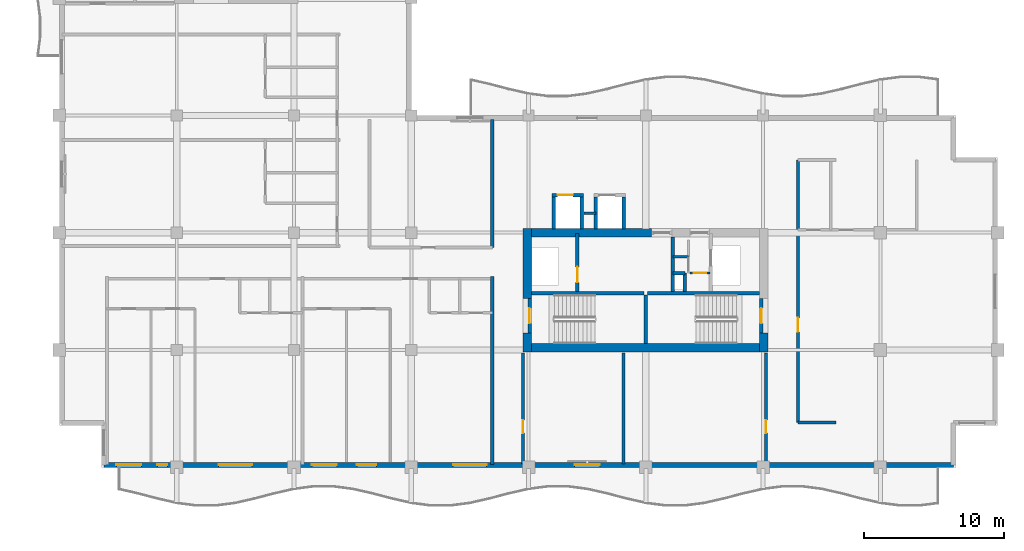
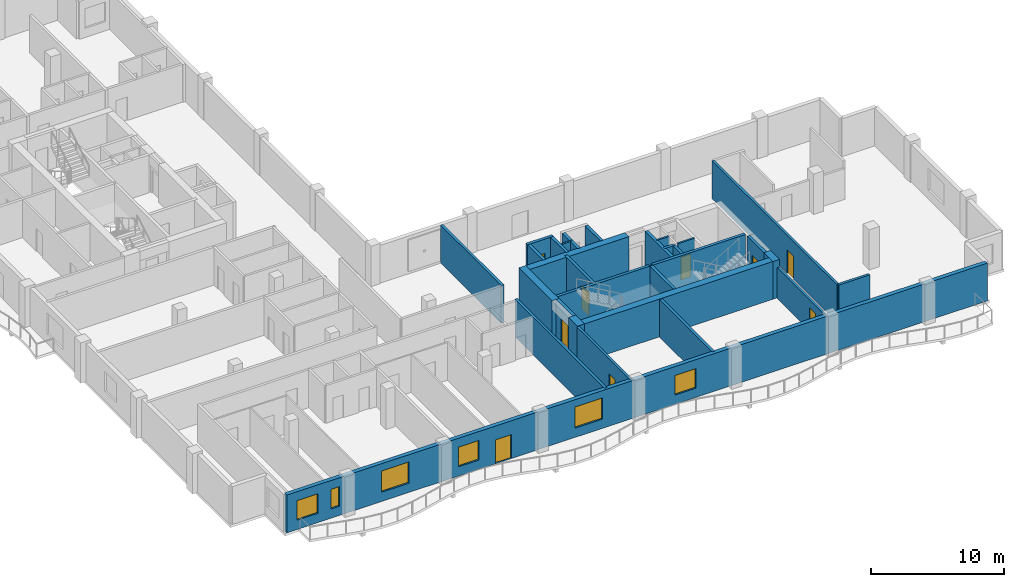
# One storey, part 4 of 12: 30 walls, 9 doors, 6 windows, 15 openings.
"""IFC4 building model written with IfcOpenShell, lengths in metres."""

from ifc_helpers import new_model, si_unit, direction, frame, frame_2d, origin, place, context, subcontext, project, spatial, rectangle, extrude, material, layer, layer_set, type_object, element, fill, save


model = new_model("IFC4")

# Units and contexts
model_context = context("Model", 3, precision=1e-05, world=origin(), true_north=direction((0.0, 1.0)))
body_context = subcontext(model_context, "Body", "Model", "MODEL_VIEW")
ifc_project = project(units=[si_unit("LENGTHUNIT", "METRE"), si_unit("AREAUNIT", "SQUARE_METRE"), si_unit("VOLUMEUNIT", "CUBIC_METRE"), si_unit("PLANEANGLEUNIT", "RADIAN"), si_unit("MASSUNIT", "GRAM", prefix="KILO")], contexts=[model_context])

# Site, building, storey
site_placement = place(None, origin())
site = spatial("IfcSite", under=ifc_project, at=site_placement, CompositionType="ELEMENT")
building_placement = place(site_placement, origin())
building = spatial("IfcBuilding", under=site, at=building_placement, Name="Koriwani Terraces Tower", CompositionType="ELEMENT")
storey_placement = place(building_placement, frame((0.0, 0.0, 263.800048828125)))
storey = spatial("IfcBuildingStorey", under=building, at=storey_placement, Name="L65", CompositionType="ELEMENT", Elevation=263.800048828125)

# Walls
ifc_material_1 = material(Name="Concrete C60/75", Category="concrete")
ifc_layer_1 = layer(ifc_material_1, 0.60009765625, Name="Concrete C60/75")
ifc_layer_set_1 = layer_set([ifc_layer_1], Name="Concrete C60/75")
wall_type_1 = type_object("IfcWallType", Name="WALL_CORE_RC_600", PredefinedType="SHEAR", material=ifc_layer_set_1)
wall_1_placement = place(storey_placement, frame((41.89990234375, 16.64990234375, 0.0), z_axis=(0.0, 0.0, 1.0), x_axis=(0.0, 1.0, 0.0)))
element("IfcWall", 1, at=wall_1_placement, inside=storey, type_object=wall_type_1, Name="L65 East Split Core Shear Wall W1", PredefinedType="SHEAR", context=body_context, shape_type="SweptSolid", body=[
    extrude(rectangle(XDim=1.35009765625, YDim=0.60009765625, at=frame_2d((0.675048828125, 0.0))), origin(), (0.0, 0.0, 1.0), 3.469970703125),
])
wall_2_placement = place(storey_placement, frame((41.89990234375, 20.5, 0.0), z_axis=(0.0, 0.0, 1.0), x_axis=(0.0, 1.0, 0.0)))
element("IfcWall", 2, at=wall_2_placement, inside=storey, type_object=wall_type_1, Name="L65 East Split Core Shear Wall W2", PredefinedType="SHEAR", context=body_context, shape_type="SweptSolid", body=[
    extrude(rectangle(XDim=5.0, YDim=0.60009765625, at=frame_2d((2.5, 0.0))), origin(), (0.0, 0.0, 1.0), 3.469970703125),
])
wall_3_placement = place(storey_placement, frame((58.85009765625, 16.64990234375, 0.0), z_axis=(0.0, 0.0, 1.0), x_axis=(0.0, 1.0, 0.0)))
element("IfcWall", 3, at=wall_3_placement, inside=storey, type_object=wall_type_1, Name="L65 East Split Core Shear Wall E1", PredefinedType="SHEAR", context=body_context, shape_type="SweptSolid", body=[
    extrude(rectangle(XDim=1.35009765625, YDim=0.60009765625, at=frame_2d((0.675048828125, 0.0))), origin(), (0.0, 0.0, 1.0), 3.469970703125),
])
wall_4_placement = place(storey_placement, frame((42.199951171875, 16.949951171875, 0.0), z_axis=(0.0, 0.0, 1.0), x_axis=(1.0, 0.0, 0.0)))
element("IfcWall", 4, at=wall_4_placement, inside=storey, type_object=wall_type_1, Name="L65 East Split Core Shear Wall S1", PredefinedType="SHEAR", context=body_context, shape_type="SweptSolid", body=[
    extrude(rectangle(XDim=16.35009765625, YDim=0.60009765625, at=frame_2d((8.175048828125, 0.0))), origin(), (0.0, 0.0, 1.0), 3.469970703125),
])
wall_5_placement = place(storey_placement, frame((42.199951171875, 25.199951171875, 0.0), z_axis=(0.0, 0.0, 1.0), x_axis=(1.0, 0.0, 0.0)))
element("IfcWall", 5, at=wall_5_placement, inside=storey, type_object=wall_type_1, Name="L65 East Split Core Shear Wall N1", PredefinedType="SHEAR", context=body_context, shape_type="SweptSolid", body=[
    extrude(rectangle(XDim=8.60009765625, YDim=0.60009765625, at=frame_2d((4.300048828125, 0.0))), origin(), (0.0, 0.0, 1.0), 3.469970703125),
])

# Wall, opening, door
ifc_material_2 = material(Name="Autoclaved Cellular Concrete Blockwork", Category="masonry")
ifc_layer_2 = layer(ifc_material_2, 0.199951171875, Name="Autoclaved Cellular Concrete Blockwork")
ifc_layer_set_2 = layer_set([ifc_layer_2], Name="Autoclaved Cellular Concrete Blockwork")
wall_type_2 = type_object("IfcWallType", Name="WALL_CORRIDOR_200", PredefinedType="PARTITIONING", material=ifc_layer_set_2)
wall_6_placement = place(storey_placement, frame((41.60009765625, 8.64990234375, 0.0), z_axis=(0.0, 0.0, 1.0), x_axis=(0.0, 1.0, 0.0)))
wall_6 = element("IfcWall", 6, at=wall_6_placement, inside=storey, type_object=wall_type_2, Name="L65 Interior Wall WRZ4-EW-L65", PredefinedType="PARTITIONING", context=body_context, shape_type="SweptSolid", body=[
    extrude(rectangle(XDim=7.9501953125, YDim=0.199951171875, at=frame_2d((3.97509765625, 0.0))), origin(), (0.0, 0.0, 1.0), 3.469970703125),
])
opening_1_placement = place(wall_6_placement, frame((2.199951171875, 0.0, 0.0)))
opening_1 = element("IfcOpeningElement", 7, at=opening_1_placement, cuts=wall_6, Name="Opening D-06", PredefinedType="OPENING", context=body_context, shape_type="SweptSolid", body=[
    extrude(rectangle(XDim=0.919921875, YDim=2.10009765625, at=frame_2d((0.4599609375, 1.050048828125))), frame((0.0, 0.10986328125, 0.0), z_axis=(0.0, -1.0, 0.0), x_axis=(1.0, 0.0, 0.0)), (0.0, 0.0, 1.0), 0.219970703125),
])
ifc_material_3 = material(Name="Architectural Oak Fire Door", Category="wood")
door_type_1 = type_object("IfcDoorType", Name="DOOR_ROOM_INT_920X2100", OperationType="NOTDEFINED", PredefinedType="DOOR", material=ifc_material_3)
door_1_placement = place(opening_1_placement, origin())
door_1 = element("IfcDoor", 8, at=door_1_placement, inside=storey, type_object=door_type_1, Name="L65 Resident Library Study Door", OperationType="SINGLE_SWING_RIGHT", OverallHeight=2.10009765625, OverallWidth=0.919921875, PredefinedType="DOOR", context=body_context, shape_type="SweptSolid", body=[
    extrude(rectangle(XDim=0.919921875, YDim=2.10009765625, at=frame_2d((0.4599609375, 1.050048828125))), frame((0.0, 0.02490234375, 0.0), z_axis=(0.0, -1.0, 0.0), x_axis=(1.0, 0.0, 0.0)), (0.0, 0.0, 1.0), 0.050048828125),
])
fill(opening_1, door_1)

wall_7_placement = place(storey_placement, frame((59.0, 8.64990234375, 0.0), z_axis=(0.0, 0.0, 1.0), x_axis=(0.0, 1.0, 0.0)))
wall_7 = element("IfcWall", 9, at=wall_7_placement, inside=storey, type_object=wall_type_2, Name="L65 Interior Wall WRZ4-EE-L65", PredefinedType="PARTITIONING", context=body_context, shape_type="SweptSolid", body=[
    extrude(rectangle(XDim=7.9501953125, YDim=0.199951171875, at=frame_2d((3.97509765625, 0.0))), origin(), (0.0, 0.0, 1.0), 2.820068359375),
])
opening_2_placement = place(wall_7_placement, frame((2.199951171875, 0.0, 0.0)))
opening_2 = element("IfcOpeningElement", 10, at=opening_2_placement, cuts=wall_7, Name="Opening D-06", PredefinedType="OPENING", context=body_context, shape_type="SweptSolid", body=[
    extrude(rectangle(XDim=0.919921875, YDim=2.10009765625, at=frame_2d((0.4599609375, 1.050048828125))), frame((0.0, 0.10986328125, 0.0), z_axis=(0.0, -1.0, 0.0), x_axis=(1.0, 0.0, 0.0)), (0.0, 0.0, 1.0), 0.219970703125),
])
door_2_placement = place(opening_2_placement, origin())
door_2 = element("IfcDoor", 11, at=door_2_placement, inside=storey, type_object=door_type_1, Name="L65 Resident Laundry Room Door", OperationType="SINGLE_SWING_LEFT", OverallHeight=2.10009765625, OverallWidth=0.919921875, PredefinedType="DOOR", context=body_context, shape_type="SweptSolid", body=[
    extrude(rectangle(XDim=0.919921875, YDim=2.10009765625, at=frame_2d((0.4599609375, 1.050048828125))), frame((0.0, 0.02490234375, 0.0), z_axis=(0.0, -1.0, 0.0), x_axis=(1.0, 0.0, 0.0)), (0.0, 0.0, 1.0), 0.050048828125),
])
fill(opening_2, door_2)

wall_8_placement = place(storey_placement, frame((61.300048828125, 11.60009765625, 0.0), z_axis=(0.0, 0.0, 1.0), x_axis=(0.0, 1.0, 0.0)))
wall_8 = element("IfcWall", 12, at=wall_8_placement, inside=storey, type_object=wall_type_2, Name="L65 Interior Wall WET-W-L65", PredefinedType="PARTITIONING", context=body_context, shape_type="SweptSolid", body=[
    extrude(rectangle(XDim=18.7998046875, YDim=0.199951171875, at=frame_2d((9.39990234375, 0.0))), origin(), (0.0, 0.0, 1.0), 3.469970703125),
])
opening_3_placement = place(wall_8_placement, frame((6.5, 0.0, 0.0)))
opening_3 = element("IfcOpeningElement", 13, at=opening_3_placement, cuts=wall_8, Name="Opening D-05", PredefinedType="OPENING", context=body_context, shape_type="SweptSolid", body=[
    extrude(rectangle(XDim=1.0, YDim=2.14990234375, at=frame_2d((0.5, 1.074951171875))), frame((0.0, 0.10986328125, 0.0), z_axis=(0.0, -1.0, 0.0), x_axis=(1.0, 0.0, 0.0)), (0.0, 0.0, 1.0), 0.219970703125),
])
door_type_2 = type_object("IfcDoorType", Name="DOOR_SUITE_ENTRY_1000X2150", OperationType="NOTDEFINED", PredefinedType="DOOR", material=ifc_material_3)
door_3_placement = place(opening_3_placement, origin())
door_3 = element("IfcDoor", 14, at=door_3_placement, inside=storey, type_object=door_type_2, Name="Apartment 65ET Entrance Door", OperationType="SINGLE_SWING_LEFT", OverallHeight=2.14990234375, OverallWidth=1.0, PredefinedType="DOOR", context=body_context, shape_type="SweptSolid", body=[
    extrude(rectangle(XDim=1.0, YDim=2.14990234375, at=frame_2d((0.5, 1.074951171875))), frame((0.0, 0.02490234375, 0.0), z_axis=(0.0, -1.0, 0.0), x_axis=(1.0, 0.0, 0.0)), (0.0, 0.0, 1.0), 0.050048828125),
])
fill(opening_3, door_3)

# Walls
ifc_layer_3 = layer(ifc_material_2, 0.219970703125, Name="Autoclaved Cellular Concrete Blockwork")
ifc_layer_set_3 = layer_set([ifc_layer_3], Name="Autoclaved Cellular Concrete Blockwork")
wall_type_3 = type_object("IfcWallType", Name="WALL_DEMISING_220", PredefinedType="PARTITIONING", material=ifc_layer_set_3)
wall_9_placement = place(storey_placement, frame((39.39990234375, 24.14990234375, 0.0), z_axis=(0.0, 0.0, 1.0), x_axis=(0.0, 1.0, 0.0)))
element("IfcWall", 15, at=wall_9_placement, inside=storey, type_object=wall_type_3, Name="L65 Interior Wall WIC4SE-L65", PredefinedType="PARTITIONING", context=body_context, shape_type="SweptSolid", body=[
    extrude(rectangle(XDim=9.150146484375, YDim=0.219970703125, at=frame_2d((4.5751953125, 0.0))), origin(), (0.0, 0.0, 1.0), 3.469970703125),
])
wall_10_placement = place(storey_placement, frame((48.800048828125, 8.64990234375, 0.0), z_axis=(0.0, 0.0, 1.0), x_axis=(0.0, 1.0, 0.0)))
element("IfcWall", 16, at=wall_10_placement, inside=storey, type_object=wall_type_3, Name="L65 Interior Wall WRZ4-EM-L65", PredefinedType="PARTITIONING", context=body_context, shape_type="SweptSolid", body=[
    extrude(rectangle(XDim=7.9501953125, YDim=0.219970703125, at=frame_2d((3.97509765625, 0.0))), origin(), (0.0, 0.0, 1.0), 3.469970703125),
])
wall_11_placement = place(storey_placement, frame((39.39990234375, 8.60009765625, 0.0), z_axis=(0.0, 0.0, 1.0), x_axis=(0.0, 1.0, 0.0)))
element("IfcWall", 17, at=wall_11_placement, inside=storey, type_object=wall_type_3, Name="L65 Interior Wall WRDEME-L65-SW", PredefinedType="PARTITIONING", context=body_context, shape_type="SweptSolid", body=[
    extrude(rectangle(XDim=13.47998046875, YDim=0.219970703125, at=frame_2d((6.739990234375, 0.0))), origin(), (0.0, 0.0, 1.0), 3.469970703125),
])
wall_12_placement = place(storey_placement, frame((61.300048828125, 11.60009765625, 0.0), z_axis=(0.0, 0.0, 1.0), x_axis=(1.0, 0.0, 0.0)))
element("IfcWall", 18, at=wall_12_placement, inside=storey, type_object=wall_type_3, Name="L65 Interior Wall WET-S-L65", PredefinedType="PARTITIONING", context=body_context, shape_type="SweptSolid", body=[
    extrude(rectangle(XDim=2.699951171875, YDim=0.219970703125, at=frame_2d((1.35009765625, 0.0))), origin(), (0.0, 0.0, 1.0), 3.469970703125),
])

# Wall, openings, door, windows
ifc_material_4 = material(Name="Concrete C50/60", Category="concrete")
ifc_layer_4 = layer(ifc_material_4, 0.35009765625, Name="Concrete C50/60")
ifc_layer_set_4 = layer_set([ifc_layer_4], Name="Concrete C50/60")
wall_type_4 = type_object("IfcWallType", Name="WALL_EXT_BRUTALIST_350", PredefinedType="STANDARD", material=ifc_layer_set_4)
wall_13_placement = place(storey_placement, frame((72.425048828125, 8.574951171875, 0.0), z_axis=(0.0, 0.0, 1.0), x_axis=(-1.0, 0.0, 0.0)))
wall_13 = element("IfcWall", 19, at=wall_13_placement, inside=storey, type_object=wall_type_4, Name="L65 Fair-Faced Brutalist Exterior Wall (S)", PredefinedType="STANDARD", context=body_context, shape_type="SweptSolid", body=[
    extrude(rectangle(XDim=60.85009765625, YDim=0.35009765625, at=frame_2d((30.425048828125, 0.0))), origin(), (0.0, 0.0, 1.0), 3.469970703125),
])
opening_4_placement = place(wall_13_placement, frame((41.324951171875, 0.0, 0.0)))
opening_4 = element("IfcOpeningElement", 20, at=opening_4_placement, cuts=wall_13, Name="Opening D-09", PredefinedType="OPENING", context=body_context, shape_type="SweptSolid", body=[
    extrude(rectangle(XDim=1.39990234375, YDim=2.199951171875, at=frame_2d((0.699951171875, 1.10009765625))), frame((0.0, 0.18505859375, 0.0), z_axis=(0.0, -1.0, 0.0), x_axis=(1.0, 0.0, 0.0)), (0.0, 0.0, 1.0), 0.3701171875),
])
opening_5_placement = place(wall_13_placement, frame((50.22509765625, 0.0, 0.85009765625)))
opening_5 = element("IfcOpeningElement", 21, at=opening_5_placement, cuts=wall_13, Name="Opening W-03", PredefinedType="OPENING", context=body_context, shape_type="SweptSolid", body=[
    extrude(rectangle(XDim=2.39990234375, YDim=1.949951171875, at=frame_2d((1.199951171875, 0.97509765625))), frame((0.0, 0.18505859375, 0.0), z_axis=(0.0, -1.0, 0.0), x_axis=(1.0, 0.0, 0.0)), (0.0, 0.0, 1.0), 0.3701171875),
])
opening_6_placement = place(wall_13_placement, frame((33.425048828125, 0.0, 0.85009765625)))
opening_6 = element("IfcOpeningElement", 22, at=opening_6_placement, cuts=wall_13, Name="Opening W-03", PredefinedType="OPENING", context=body_context, shape_type="SweptSolid", body=[
    extrude(rectangle(XDim=2.39990234375, YDim=1.949951171875, at=frame_2d((1.199951171875, 0.97509765625))), frame((0.0, 0.18505859375, 0.0), z_axis=(0.0, -1.0, 0.0), x_axis=(1.0, 0.0, 0.0)), (0.0, 0.0, 1.0), 0.3701171875),
])
opening_7_placement = place(wall_13_placement, frame((25.324951171875, 0.0, 0.85009765625)))
opening_7 = element("IfcOpeningElement", 23, at=opening_7_placement, cuts=wall_13, Name="Opening W-04", PredefinedType="OPENING", context=body_context, shape_type="SweptSolid", body=[
    extrude(rectangle(XDim=1.800048828125, YDim=1.800048828125, at=frame_2d((0.89990234375, 0.89990234375))), frame((0.0, 0.18505859375, 0.0), z_axis=(0.0, -1.0, 0.0), x_axis=(1.0, 0.0, 0.0)), (0.0, 0.0, 1.0), 0.3701171875),
])
opening_8_placement = place(wall_13_placement, frame((58.14990234375, 0.0, 0.85009765625)))
opening_8 = element("IfcOpeningElement", 24, at=opening_8_placement, cuts=wall_13, Name="Opening W-04", PredefinedType="OPENING", context=body_context, shape_type="SweptSolid", body=[
    extrude(rectangle(XDim=1.800048828125, YDim=1.800048828125, at=frame_2d((0.89990234375, 0.89990234375))), frame((0.0, 0.18505859375, 0.0), z_axis=(0.0, -1.0, 0.0), x_axis=(1.0, 0.0, 0.0)), (0.0, 0.0, 1.0), 0.3701171875),
])
opening_9_placement = place(wall_13_placement, frame((56.2900390625, 0.0, 0.85009765625)))
opening_9 = element("IfcOpeningElement", 25, at=opening_9_placement, cuts=wall_13, Name="Opening W-08", PredefinedType="OPENING", context=body_context, shape_type="SweptSolid", body=[
    extrude(rectangle(XDim=0.719970703125, YDim=1.800048828125, at=frame_2d((0.35986328125, 0.89990234375))), frame((0.0, 0.18505859375, 0.0), z_axis=(0.0, -1.0, 0.0), x_axis=(1.0, 0.0, 0.0)), (0.0, 0.0, 1.0), 0.3701171875),
])
opening_10_placement = place(wall_13_placement, frame((44.14990234375, 0.0, 0.85009765625)))
opening_10 = element("IfcOpeningElement", 26, at=opening_10_placement, cuts=wall_13, Name="Opening W-04", PredefinedType="OPENING", context=body_context, shape_type="SweptSolid", body=[
    extrude(rectangle(XDim=1.800048828125, YDim=1.800048828125, at=frame_2d((0.89990234375, 0.89990234375))), frame((0.0, 0.18505859375, 0.0), z_axis=(0.0, -1.0, 0.0), x_axis=(1.0, 0.0, 0.0)), (0.0, 0.0, 1.0), 0.3701171875),
])
ifc_material_5 = material(Name="Anodised Bronze Aluminium", Category="aluminium")
door_type_3 = type_object("IfcDoorType", Name="DOOR_BALCONY_GLAZED_1400X2200", OperationType="NOTDEFINED", PredefinedType="DOOR", material=ifc_material_5)
door_4_placement = place(opening_4_placement, origin())
door_4 = element("IfcDoor", 27, at=door_4_placement, inside=storey, type_object=door_type_3, Name="L65 South Balcony Glazed Door", OperationType="SINGLE_SWING_LEFT", OverallHeight=2.199951171875, OverallWidth=1.39990234375, PredefinedType="DOOR", context=body_context, shape_type="SweptSolid", body=[
    extrude(rectangle(XDim=1.39990234375, YDim=2.199951171875, at=frame_2d((0.699951171875, 1.10009765625))), frame((0.0, 0.02490234375, 0.0), z_axis=(0.0, -1.0, 0.0), x_axis=(1.0, 0.0, 0.0)), (0.0, 0.0, 1.0), 0.050048828125),
])
fill(opening_4, door_4)
ifc_material_6 = material(Name="Tempered Laminated Low-E Glass", Category="glass")
window_type_1 = type_object("IfcWindowType", Name="WIN_RES_BED_1800X1800", PartitioningType="DOUBLE_PANEL_VERTICAL", PredefinedType="WINDOW", material=ifc_material_6)
window_1_placement = place(opening_7_placement, origin())
window_1 = element("IfcWindow", 28, at=window_1_placement, inside=storey, type_object=window_type_1, Name="L65 Exterior Window (S-12)", OverallHeight=1.800048828125, OverallWidth=1.800048828125, PartitioningType="SINGLE_PANEL", PredefinedType="WINDOW", context=body_context, shape_type="SweptSolid", body=[
    extrude(rectangle(XDim=1.800048828125, YDim=1.800048828125, at=frame_2d((0.89990234375, 0.89990234375))), frame((0.0, 0.030029296875, 0.0), z_axis=(0.0, -1.0, 0.0), x_axis=(1.0, 0.0, 0.0)), (0.0, 0.0, 1.0), 0.06005859375),
])
fill(opening_7, window_1)
window_2_placement = place(opening_8_placement, origin())
window_2 = element("IfcWindow", 29, at=window_2_placement, inside=storey, type_object=window_type_1, Name="L65 Exterior Window (S-R33)", OverallHeight=1.800048828125, OverallWidth=1.800048828125, PartitioningType="SINGLE_PANEL", PredefinedType="WINDOW", context=body_context, shape_type="SweptSolid", body=[
    extrude(rectangle(XDim=1.800048828125, YDim=1.800048828125, at=frame_2d((0.89990234375, 0.89990234375))), frame((0.0, 0.030029296875, 0.0), z_axis=(0.0, -1.0, 0.0), x_axis=(1.0, 0.0, 0.0)), (0.0, 0.0, 1.0), 0.06005859375),
])
fill(opening_8, window_2)
window_3_placement = place(opening_10_placement, origin())
window_3 = element("IfcWindow", 30, at=window_3_placement, inside=storey, type_object=window_type_1, Name="L65 Exterior Window (S-R38)", OverallHeight=1.800048828125, OverallWidth=1.800048828125, PartitioningType="SINGLE_PANEL", PredefinedType="WINDOW", context=body_context, shape_type="SweptSolid", body=[
    extrude(rectangle(XDim=1.800048828125, YDim=1.800048828125, at=frame_2d((0.89990234375, 0.89990234375))), frame((0.0, 0.030029296875, 0.0), z_axis=(0.0, -1.0, 0.0), x_axis=(1.0, 0.0, 0.0)), (0.0, 0.0, 1.0), 0.06005859375),
])
fill(opening_10, window_3)
window_type_2 = type_object("IfcWindowType", Name="WIN_RES_CASEMENT_1200X1800", PartitioningType="SINGLE_PANEL", PredefinedType="WINDOW", material=ifc_material_6)
window_4_placement = place(opening_9_placement, origin())
window_4 = element("IfcWindow", 31, at=window_4_placement, inside=storey, type_object=window_type_2, Name="L65 Exterior Window (S-R34)", OverallHeight=1.800048828125, OverallWidth=0.719970703125, PartitioningType="SINGLE_PANEL", PredefinedType="WINDOW", context=body_context, shape_type="SweptSolid", body=[
    extrude(rectangle(XDim=0.719970703125, YDim=1.800048828125, at=frame_2d((0.35986328125, 0.89990234375))), frame((0.0, 0.030029296875, 0.0), z_axis=(0.0, -1.0, 0.0), x_axis=(1.0, 0.0, 0.0)), (0.0, 0.0, 1.0), 0.06005859375),
])
fill(opening_9, window_4)
window_type_3 = type_object("IfcWindowType", Name="WIN_RES_LIVING_2400X1950", PartitioningType="DOUBLE_PANEL_VERTICAL", PredefinedType="WINDOW", material=ifc_material_6)
window_5_placement = place(opening_5_placement, origin())
window_5 = element("IfcWindow", 32, at=window_5_placement, inside=storey, type_object=window_type_3, Name="L65 Exterior Window (S-3)", OverallHeight=1.949951171875, OverallWidth=2.39990234375, PartitioningType="SINGLE_PANEL", PredefinedType="WINDOW", context=body_context, shape_type="SweptSolid", body=[
    extrude(rectangle(XDim=2.39990234375, YDim=1.949951171875, at=frame_2d((1.199951171875, 0.97509765625))), frame((0.0, 0.030029296875, 0.0), z_axis=(0.0, -1.0, 0.0), x_axis=(1.0, 0.0, 0.0)), (0.0, 0.0, 1.0), 0.06005859375),
])
fill(opening_5, window_5)
window_6_placement = place(opening_6_placement, origin())
window_6 = element("IfcWindow", 33, at=window_6_placement, inside=storey, type_object=window_type_3, Name="L65 Exterior Window (S-9)", OverallHeight=1.949951171875, OverallWidth=2.39990234375, PartitioningType="SINGLE_PANEL", PredefinedType="WINDOW", context=body_context, shape_type="SweptSolid", body=[
    extrude(rectangle(XDim=2.39990234375, YDim=1.949951171875, at=frame_2d((1.199951171875, 0.97509765625))), frame((0.0, 0.030029296875, 0.0), z_axis=(0.0, -1.0, 0.0), x_axis=(1.0, 0.0, 0.0)), (0.0, 0.0, 1.0), 0.06005859375),
])
fill(opening_6, window_6)

# Walls
ifc_material_7 = material(Name="Concrete C40/50", Category="concrete")
ifc_layer_5 = layer(ifc_material_7, 0.25, Name="Concrete C40/50")
ifc_layer_set_5 = layer_set([ifc_layer_5], Name="Concrete C40/50")
wall_type_5 = type_object("IfcWallType", Name="WALL_SHAFT_RATED_250", PredefinedType="SOLIDWALL", material=ifc_layer_set_5)
for number, where, z_axis, x_axis, name in (
    (34, (42.199951171875, 20.875, 0.0), (0.0, 0.0, 1.0), (1.0, 0.0, 0.0), "L65 East Split Core Web Wall MID1"),
    (35, (50.5, 20.875, 0.0), (0.0, 0.0, 1.0), (1.0, 0.0, 0.0), "L65 East Split Core Web Wall MID2"),
):
    element("IfcWall", number, at=place(storey_placement, frame(where, z_axis=z_axis, x_axis=x_axis)), inside=storey, type_object=wall_type_5, Name=name, PredefinedType="SOLIDWALL", context=body_context, shape_type="SweptSolid", body=[
        extrude(rectangle(XDim=8.050048828125, YDim=0.25, at=frame_2d((4.02490234375, 0.0))), origin(), (0.0, 0.0, 1.0), 3.469970703125),
    ])
wall_14_placement = place(storey_placement, frame((50.375, 17.25, 0.0), z_axis=(0.0, 0.0, 1.0), x_axis=(0.0, 1.0, 0.0)))
element("IfcWall", 36, at=wall_14_placement, inside=storey, type_object=wall_type_5, Name="L65 East Split Core Stair Dividing Wall", PredefinedType="SOLIDWALL", context=body_context, shape_type="SweptSolid", body=[
    extrude(rectangle(XDim=3.5, YDim=0.25, at=frame_2d((1.75, 0.0))), origin(), (0.0, 0.0, 1.0), 3.469970703125),
])

# Wall, opening, door
wall_15_placement = place(storey_placement, frame((42.074951171875, 18.0, 0.0), z_axis=(0.0, 0.0, 1.0), x_axis=(0.0, 1.0, 0.0)))
wall_15 = element("IfcWall", 37, at=wall_15_placement, inside=storey, type_object=wall_type_5, Name="L65 Interior Wall WIN-CE-L65-STW", PredefinedType="SOLIDWALL", context=body_context, shape_type="SweptSolid", body=[
    extrude(rectangle(XDim=2.5, YDim=0.25, at=frame_2d((1.25, 0.0))), origin(), (0.0, 0.0, 1.0), 3.469970703125),
])
opening_11_placement = place(wall_15_placement, frame((0.699951171875, 0.0, 0.0)))
opening_11 = element("IfcOpeningElement", 38, at=opening_11_placement, cuts=wall_15, Name="Opening D-03", PredefinedType="OPENING", context=body_context, shape_type="SweptSolid", body=[
    extrude(rectangle(XDim=1.10009765625, YDim=2.14990234375, at=frame_2d((0.550048828125, 1.074951171875))), frame((0.0, 0.135009765625, 0.0), z_axis=(0.0, -1.0, 0.0), x_axis=(1.0, 0.0, 0.0)), (0.0, 0.0, 1.0), 0.27001953125),
])
ifc_material_8 = material(Name="Steel ASTM A572 Grade 50", Category="steel")
door_type_4 = type_object("IfcDoorType", Name="DOOR_STAIR_FIRE_1100X2150", OperationType="NOTDEFINED", PredefinedType="DOOR", material=ifc_material_8)
door_5_placement = place(opening_11_placement, origin())
door_5 = element("IfcDoor", 39, at=door_5_placement, inside=storey, type_object=door_type_4, Name="L65 Exit Stair ST-E1 Door", OperationType="SINGLE_SWING_RIGHT", OverallHeight=2.14990234375, OverallWidth=1.10009765625, PredefinedType="DOOR", context=body_context, shape_type="SweptSolid", body=[
    extrude(rectangle(XDim=1.10009765625, YDim=2.14990234375, at=frame_2d((0.550048828125, 1.074951171875))), frame((0.0, 0.02490234375, 0.0), z_axis=(0.0, -1.0, 0.0), x_axis=(1.0, 0.0, 0.0)), (0.0, 0.0, 1.0), 0.050048828125),
])
fill(opening_11, door_5)

wall_16_placement = place(storey_placement, frame((58.675048828125, 18.0, 0.0), z_axis=(0.0, 0.0, 1.0), x_axis=(0.0, 1.0, 0.0)))
wall_16 = element("IfcWall", 40, at=wall_16_placement, inside=storey, type_object=wall_type_5, Name="L65 Interior Wall WIN-CE-L65-STE", PredefinedType="SOLIDWALL", context=body_context, shape_type="SweptSolid", body=[
    extrude(rectangle(XDim=2.5, YDim=0.25, at=frame_2d((1.25, 0.0))), origin(), (0.0, 0.0, 1.0), 3.469970703125),
])
opening_12_placement = place(wall_16_placement, frame((0.699951171875, 0.0, 0.0)))
opening_12 = element("IfcOpeningElement", 41, at=opening_12_placement, cuts=wall_16, Name="Opening D-03", PredefinedType="OPENING", context=body_context, shape_type="SweptSolid", body=[
    extrude(rectangle(XDim=1.10009765625, YDim=2.14990234375, at=frame_2d((0.550048828125, 1.074951171875))), frame((0.0, 0.135009765625, 0.0), z_axis=(0.0, -1.0, 0.0), x_axis=(1.0, 0.0, 0.0)), (0.0, 0.0, 1.0), 0.27001953125),
])
door_6_placement = place(opening_12_placement, origin())
door_6 = element("IfcDoor", 42, at=door_6_placement, inside=storey, type_object=door_type_4, Name="L65 Exit Stair ST-E2 Door", OperationType="SINGLE_SWING_LEFT", OverallHeight=2.14990234375, OverallWidth=1.10009765625, PredefinedType="DOOR", context=body_context, shape_type="SweptSolid", body=[
    extrude(rectangle(XDim=1.10009765625, YDim=2.14990234375, at=frame_2d((0.550048828125, 1.074951171875))), frame((0.0, 0.02490234375, 0.0), z_axis=(0.0, -1.0, 0.0), x_axis=(1.0, 0.0, 0.0)), (0.0, 0.0, 1.0), 0.050048828125),
])
fill(opening_12, door_6)

wall_17_placement = place(storey_placement, frame((45.5, 21.0, 0.0), z_axis=(0.0, 0.0, 1.0), x_axis=(0.0, 1.0, 0.0)))
wall_17 = element("IfcWall", 43, at=wall_17_placement, inside=storey, type_object=wall_type_5, Name="L65 Interior Wall WIN-CE-L65-FE", PredefinedType="SOLIDWALL", context=body_context, shape_type="SweptSolid", body=[
    extrude(rectangle(XDim=4.14990234375, YDim=0.25, at=frame_2d((2.074951171875, 0.0))), origin(), (0.0, 0.0, 1.0), 3.469970703125),
])
opening_13_placement = place(wall_17_placement, frame((0.64990234375, 0.0, 0.0)))
opening_13 = element("IfcOpeningElement", 44, at=opening_13_placement, cuts=wall_17, Name="Opening LD-01", PredefinedType="OPENING", context=body_context, shape_type="SweptSolid", body=[
    extrude(rectangle(XDim=1.10009765625, YDim=2.14990234375, at=frame_2d((0.550048828125, 1.074951171875))), frame((0.0, 0.135009765625, 0.0), z_axis=(0.0, -1.0, 0.0), x_axis=(1.0, 0.0, 0.0)), (0.0, 0.0, 1.0), 0.27001953125),
])
door_type_5 = type_object("IfcDoorType", Name="DOOR_LIFT_LANDING_1100X2200", OperationType="NOTDEFINED", PredefinedType="DOOR", material=ifc_material_8)
door_7_placement = place(opening_13_placement, origin())
door_7 = element("IfcDoor", 45, at=door_7_placement, inside=storey, type_object=door_type_5, Name="L65 Firefighting Lift FE-02 Landing Door", OperationType="SLIDING_TO_LEFT", OverallHeight=2.14990234375, OverallWidth=1.10009765625, PredefinedType="DOOR", context=body_context, shape_type="SweptSolid", body=[
    extrude(rectangle(XDim=1.10009765625, YDim=2.14990234375, at=frame_2d((0.550048828125, 1.074951171875))), frame((0.0, 0.02490234375, 0.0), z_axis=(0.0, -1.0, 0.0), x_axis=(1.0, 0.0, 0.0)), (0.0, 0.0, 1.0), 0.050048828125),
])
fill(opening_13, door_7)

# Walls
wall_18_placement = place(storey_placement, frame((52.340087890625, 21.0, 0.0), z_axis=(0.0, 0.0, 1.0), x_axis=(0.0, 1.0, 0.0)))
element("IfcWall", 46, at=wall_18_placement, inside=storey, type_object=wall_type_5, Name="L65 Interior Wall WIN-CE-L65-FFE", PredefinedType="SOLIDWALL", context=body_context, shape_type="SweptSolid", body=[
    extrude(rectangle(XDim=3.89990234375, YDim=0.25, at=frame_2d((1.949951171875, 0.0))), origin(), (0.0, 0.0, 1.0), 3.469970703125),
])
wall_19_placement = place(storey_placement, frame((53.199951171875, 21.0, 0.0), z_axis=(0.0, 0.0, 1.0), x_axis=(0.0, 1.0, 0.0)))
element("IfcWall", 47, at=wall_19_placement, inside=storey, type_object=wall_type_5, Name="L65 Interior Wall WIN-CE-L65-RS1", PredefinedType="SOLIDWALL", context=body_context, shape_type="SweptSolid", body=[
    extrude(rectangle(XDim=1.300048828125, YDim=0.25, at=frame_2d((0.64990234375, 0.0))), origin(), (0.0, 0.0, 1.0), 3.469970703125),
])
wall_20_placement = place(storey_placement, frame((52.360107421875, 22.300048828125, 0.0), z_axis=(0.0, 0.0, 1.0), x_axis=(1.0, 0.0, 0.0)))
element("IfcWall", 48, at=wall_20_placement, inside=storey, type_object=wall_type_5, Name="L65 Interior Wall WIN-CE-L65-RS2", PredefinedType="SOLIDWALL", context=body_context, shape_type="SweptSolid", body=[
    extrude(rectangle(XDim=0.83984375, YDim=0.25, at=frame_2d((0.419921875, 0.0))), origin(), (0.0, 0.0, 1.0), 3.469970703125),
])

# Wall, opening, door
wall_21_placement = place(storey_placement, frame((43.675048828125, 27.89990234375, 0.0), z_axis=(0.0, 0.0, 1.0), x_axis=(1.0, 0.0, 0.0)))
wall_21 = element("IfcWall", 49, at=wall_21_placement, inside=storey, type_object=wall_type_5, Name="L65 Interior Wall WIN-LF-PE-H3-L65-F", PredefinedType="SOLIDWALL", context=body_context, shape_type="SweptSolid", body=[
    extrude(rectangle(XDim=2.25, YDim=0.25, at=frame_2d((1.125, 0.0))), origin(), (0.0, 0.0, 1.0), 3.469970703125),
])
opening_14_placement = place(wall_21_placement, frame((0.39990234375, 0.0, 0.0)))
opening_14 = element("IfcOpeningElement", 50, at=opening_14_placement, cuts=wall_21, Name="Opening LD-01", PredefinedType="OPENING", context=body_context, shape_type="SweptSolid", body=[
    extrude(rectangle(XDim=1.10009765625, YDim=2.14990234375, at=frame_2d((0.550048828125, 1.074951171875))), frame((0.0, 0.135009765625, 0.0), z_axis=(0.0, -1.0, 0.0), x_axis=(1.0, 0.0, 0.0)), (0.0, 0.0, 1.0), 0.27001953125),
])
door_8_placement = place(opening_14_placement, origin())
door_8 = element("IfcDoor", 51, at=door_8_placement, inside=storey, type_object=door_type_5, Name="L65 Passenger Lift PE-H3 Landing Door", OperationType="SLIDING_TO_LEFT", OverallHeight=2.14990234375, OverallWidth=1.10009765625, PredefinedType="DOOR", context=body_context, shape_type="SweptSolid", body=[
    extrude(rectangle(XDim=1.10009765625, YDim=2.14990234375, at=frame_2d((0.550048828125, 1.074951171875))), frame((0.0, 0.02490234375, 0.0), z_axis=(0.0, -1.0, 0.0), x_axis=(1.0, 0.0, 0.0)), (0.0, 0.0, 1.0), 0.050048828125),
])
fill(opening_14, door_8)

# Walls
for number, where, z_axis, x_axis, name in (
    (52, (43.800048828125, 25.449951171875, 0.0), (0.0, 0.0, 1.0), (0.0, 1.0, 0.0), "L65 Interior Wall WIN-LF-PE-H3-L65-W"),
    (53, (45.800048828125, 25.449951171875, 0.0), (0.0, 0.0, 1.0), (0.0, 1.0, 0.0), "L65 Interior Wall WIN-LF-PE-H3-L65-E"),
    (54, (46.800048828125, 25.449951171875, 0.0), (0.0, 0.0, 1.0), (0.0, 1.0, 0.0), "L65 Interior Wall WIN-LF-PE-H4-L65-W"),
    (55, (48.800048828125, 25.449951171875, 0.0), (0.0, 0.0, 1.0), (0.0, 1.0, 0.0), "L65 Interior Wall WIN-LF-PE-H4-L65-E"),
):
    element("IfcWall", number, at=place(storey_placement, frame(where, z_axis=z_axis, x_axis=x_axis)), inside=storey, type_object=wall_type_5, Name=name, PredefinedType="SOLIDWALL", context=body_context, shape_type="SweptSolid", body=[
        extrude(rectangle(XDim=2.324951171875, YDim=0.25, at=frame_2d((1.16259765625, 0.0))), origin(), (0.0, 0.0, 1.0), 3.469970703125),
    ])

# Wall, opening, door
ifc_material_9 = material(Name="Fire-Rated Acoustic Gypsum Partition", Category="masonry")
ifc_layer_6 = layer(ifc_material_9, 0.159912109375, Name="Fire-Rated Acoustic Gypsum Partition")
ifc_layer_set_6 = layer_set([ifc_layer_6], Name="Fire-Rated Acoustic Gypsum Partition")
wall_type_6 = type_object("IfcWallType", Name="WALL_SUITE_160", PredefinedType="PARTITIONING", material=ifc_layer_set_6)
wall_22_placement = place(storey_placement, frame((53.56005859375, 22.320068359375, 0.0), z_axis=(0.0, 0.0, 1.0), x_axis=(1.0, 0.0, 0.0)))
wall_22 = element("IfcWall", 56, at=wall_22_placement, inside=storey, type_object=wall_type_6, Name="L65 Interior Wall WIN-CE-L65-SV2A", PredefinedType="PARTITIONING", context=body_context, shape_type="SweptSolid", body=[
    extrude(rectangle(XDim=1.43994140625, YDim=0.159912109375, at=frame_2d((0.719970703125, 0.0))), origin(), (0.0, 0.0, 1.0), 3.469970703125),
])
opening_15_placement = place(wall_22_placement, frame((0.260009765625, 0.0, 0.0)))
opening_15 = element("IfcOpeningElement", 57, at=opening_15_placement, cuts=wall_22, Name="Opening D-07", PredefinedType="OPENING", context=body_context, shape_type="SweptSolid", body=[
    extrude(rectangle(XDim=0.89990234375, YDim=2.10009765625, at=frame_2d((0.449951171875, 1.050048828125))), frame((0.0, 0.08984375, 0.0), z_axis=(0.0, -1.0, 0.0), x_axis=(1.0, 0.0, 0.0)), (0.0, 0.0, 1.0), 0.179931640625),
])
door_type_6 = type_object("IfcDoorType", Name="DOOR_BATH_INT_900X2100", OperationType="NOTDEFINED", PredefinedType="DOOR", material=ifc_material_3)
door_9_placement = place(opening_15_placement, origin())
door_9 = element("IfcDoor", 58, at=door_9_placement, inside=storey, type_object=door_type_6, Name="L65 East Meter Room Door", OperationType="SINGLE_SWING_RIGHT", OverallHeight=2.10009765625, OverallWidth=0.89990234375, PredefinedType="DOOR", context=body_context, shape_type="SweptSolid", body=[
    extrude(rectangle(XDim=0.89990234375, YDim=2.10009765625, at=frame_2d((0.449951171875, 1.050048828125))), frame((0.0, 0.02490234375, 0.0), z_axis=(0.0, -1.0, 0.0), x_axis=(1.0, 0.0, 0.0)), (0.0, 0.0, 1.0), 0.050048828125),
])
fill(opening_15, door_9)

# Walls
wall_23_placement = place(storey_placement, frame((52.360107421875, 23.47998046875, 0.0), z_axis=(0.0, 0.0, 1.0), x_axis=(1.0, 0.0, 0.0)))
element("IfcWall", 59, at=wall_23_placement, inside=storey, type_object=wall_type_6, Name="L65 Interior Wall WIN-CE-L65-SV2V", PredefinedType="PARTITIONING", context=body_context, shape_type="SweptSolid", body=[
    extrude(rectangle(XDim=1.099853515625, YDim=0.159912109375, at=frame_2d((0.5498046875, 0.0))), origin(), (0.0, 0.0, 1.0), 3.469970703125),
])
wall_24_placement = place(storey_placement, frame((45.9599609375, 26.60009765625, 0.0), z_axis=(0.0, 0.0, 1.0), x_axis=(1.0, 0.0, 0.0)))
element("IfcWall", 60, at=wall_24_placement, inside=storey, type_object=wall_type_6, Name="L65 Interior Wall WIN-LF-PEH34-MID-L65", PredefinedType="PARTITIONING", context=body_context, shape_type="SweptSolid", body=[
    extrude(rectangle(XDim=0.880126953125, YDim=0.159912109375, at=frame_2d((0.43994140625, 0.0))), origin(), (0.0, 0.0, 1.0), 3.469970703125),
])

save(model, "model.ifc")
